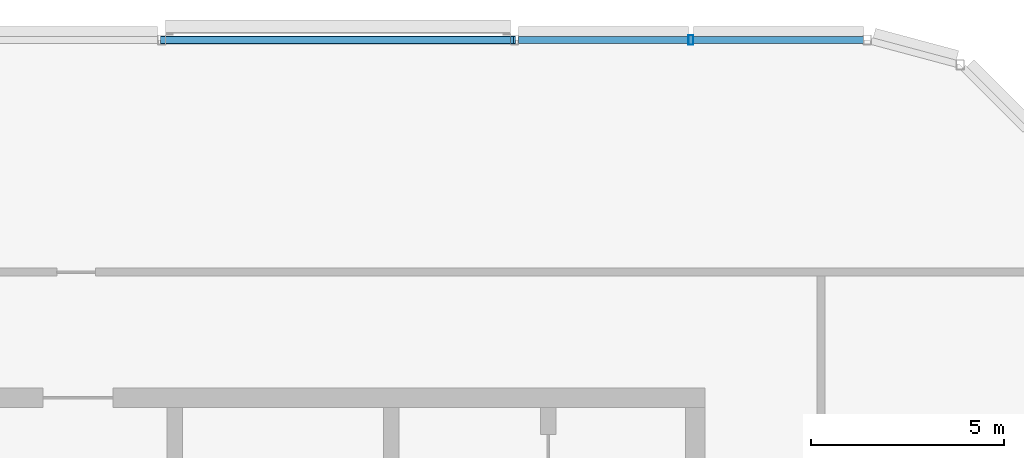
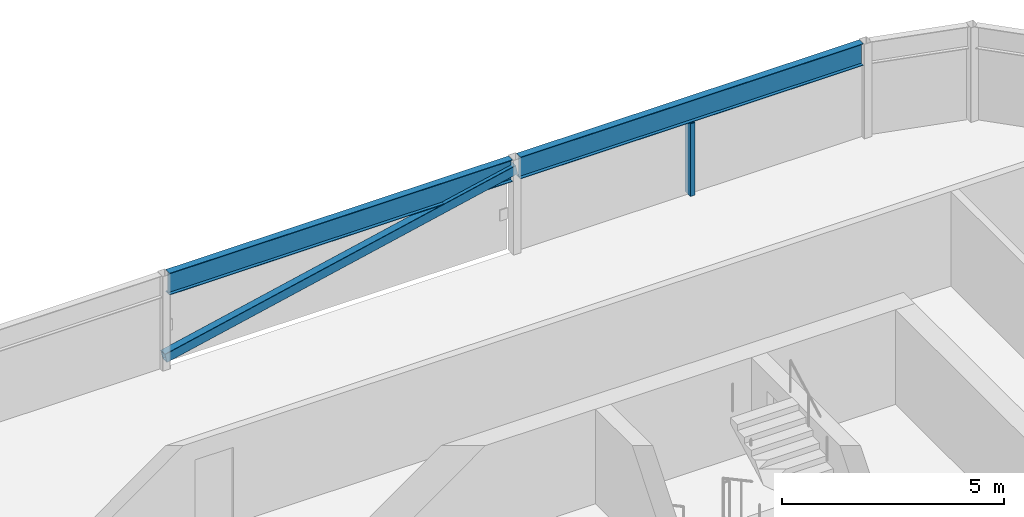
# One storey, part 13 of 27: 2 beams, 2 members.
"""IFC4 building model written with IfcOpenShell, lengths in metres."""

import ifcopenshell
import ifcopenshell.guid

model = None  # the IFC model being written
_history = None  # IfcOwnerHistory: only IFC2X3 demands one
_inside = {}  # id of a spatial element -> (the spatial element, [elements in it])
_under = {}  # id of a project, library or spatial element -> (it, [spatial elements below it])
_declared = {}  # id of a project -> (the project, [libraries it declares])
_typed = {}  # id of a type object -> (the type object, [elements of that type])
_made_of = {}  # id of a material, layer set ... -> (it, [elements and type objects made of it])


def new_model(schema):
    """Start an empty IFC model of exactly this schema.

    Asked for "IFC4X3", IfcOpenShell would pick the latest addendum, in which some entities
    have other attributes; the version numbers below select the first issue.
    IFC2X3 requires an IfcOwnerHistory on every rooted entity: one is made here for all.
    """
    global model, _history
    if schema == "IFC4X3":
        model = ifcopenshell.file(schema_version=(4, 3, 0, 0))
    else:
        model = ifcopenshell.file(schema=schema)
    _inside.clear()
    _under.clear()
    _declared.clear()
    _typed.clear()
    _made_of.clear()
    _history = None
    if model.schema == "IFC2X3":
        org = make("IfcOrganization", Name="unknown")
        user = make(
            "IfcPersonAndOrganization",
            ThePerson=make("IfcPerson", FamilyName="unknown"),
            TheOrganization=org,
        )
        app = make(
            "IfcApplication",
            ApplicationDeveloper=org,
            Version="unknown",
            ApplicationFullName="unknown",
            ApplicationIdentifier="unknown",
        )
        _history = make(
            "IfcOwnerHistory",
            OwningUser=user,
            OwningApplication=app,
            ChangeAction="ADDED",
            CreationDate=0,
        )
    return model


def make(cls, **values):
    """One entity of the class cls with the attributes given. An attribute that is None is left unset."""
    return model.create_entity(
        cls, **{name: value for name, value in values.items() if value is not None}
    )


def rooted(cls, **values):
    """An entity with a GlobalId (a new one), such as an element, a storey or a relation."""
    return make(cls, GlobalId=ifcopenshell.guid.new(), OwnerHistory=_history, **values)


def si_unit(unit_type, name, prefix=None):
    """IfcSIUnit, for example si_unit("LENGTHUNIT", "METRE", prefix="MILLI")."""
    return make("IfcSIUnit", UnitType=unit_type, Prefix=prefix, Name=name)


def assignment(units):
    """IfcUnitAssignment: the units of a project."""
    return None if units is None else make("IfcUnitAssignment", Units=units)


def point(xyz):
    """IfcCartesianPoint."""
    return None if xyz is None else make("IfcCartesianPoint", Coordinates=xyz)


def direction(xyz):
    """IfcDirection."""
    return None if xyz is None else make("IfcDirection", DirectionRatios=xyz)


def frame(location, z_axis=None, x_axis=None):
    """IfcAxis2Placement3D, a coordinate frame: its origin and axes. An axis left out is left unset."""
    return make(
        "IfcAxis2Placement3D",
        Location=point(location),
        Axis=direction(z_axis),
        RefDirection=direction(x_axis),
    )


def frame_2d(location, x_axis=None):
    """IfcAxis2Placement2D, a coordinate frame in the plane: its origin and x axis."""
    return make(
        "IfcAxis2Placement2D", Location=point(location), RefDirection=direction(x_axis)
    )


def origin():
    """The frame at (0, 0, 0) with its axes left unset."""
    return frame((0.0, 0.0, 0.0))


def origin_2d():
    """The frame at (0, 0) in the plane with its x axis left unset."""
    return frame_2d((0.0, 0.0))


def place(relative_to, where):
    """IfcLocalPlacement: puts the frame where relative to a parent placement (None: the world)."""
    return make(
        "IfcLocalPlacement", PlacementRelTo=relative_to, RelativePlacement=where
    )


def context(
    kind, dimensions, precision=None, world=None, true_north=None, identifier=None
):
    """IfcGeometricRepresentationContext, for example the 3D "Model" context."""
    return make(
        "IfcGeometricRepresentationContext",
        ContextIdentifier=identifier,
        ContextType=kind,
        CoordinateSpaceDimension=dimensions,
        Precision=precision,
        WorldCoordinateSystem=world,
        TrueNorth=true_north,
    )


def subcontext(parent, identifier, kind, view, scale=None):
    """IfcGeometricRepresentationSubContext, for example "Body" below "Model"."""
    return make(
        "IfcGeometricRepresentationSubContext",
        ContextIdentifier=identifier,
        ContextType=kind,
        ParentContext=parent,
        TargetScale=scale,
        TargetView=view,
    )


def project(units=None, contexts=None):
    """IfcProject with its units and contexts."""
    return rooted(
        "IfcProject",
        Name="project",
        RepresentationContexts=contexts,
        UnitsInContext=assignment(units),
    )


def spatial(cls, under=None, at=None, **own):
    """A site, building, storey or space (cls), placed at a placement, below another one or the project."""
    s = rooted(cls, ObjectPlacement=at, **own)
    if under is not None:
        _under.setdefault(under.id(), (under, []))[1].append(s)
    return s


def profile(cls, at=None, kind="AREA", **sizes):
    """A parametric profile (cls). Its sizes go by their IFC names, for example OverallWidth=200.0."""
    return make(cls, ProfileType=kind, Position=at, **sizes)


def hollow_rectangle(**sizes):
    """IfcRectangleHollowProfileDef."""
    return profile("IfcRectangleHollowProfileDef", **sizes)


def i_section(**sizes):
    """IfcIShapeProfileDef."""
    return profile("IfcIShapeProfileDef", **sizes)


def extrude(swept, where, along, depth):
    """IfcExtrudedAreaSolid: the profile swept, set in the frame where, extruded along a direction by depth."""
    return make(
        "IfcExtrudedAreaSolid",
        SweptArea=swept,
        Position=where,
        ExtrudedDirection=direction(along),
        Depth=depth,
    )


def shape(context_of_items, identifier, shape_type, items):
    """IfcShapeRepresentation: the items that make up one representation, for example the "Body"."""
    return make(
        "IfcShapeRepresentation",
        ContextOfItems=context_of_items,
        RepresentationIdentifier=identifier,
        RepresentationType=shape_type,
        Items=items,
    )


def material(Name=None, Category=None):
    """IfcMaterial."""
    return make("IfcMaterial", Name=Name, Category=Category)


def material_profile(
    of_material, cross_section, Name=None, Category=None, Priority=None
):
    """IfcMaterialProfile: a cross section and its material."""
    return make(
        "IfcMaterialProfile",
        Name=Name,
        Material=of_material,
        Profile=cross_section,
        Priority=Priority,
        Category=Category,
    )


def profile_set(profiles, Name=None, composite=None):
    """IfcMaterialProfileSet."""
    return make(
        "IfcMaterialProfileSet",
        Name=Name,
        MaterialProfiles=profiles,
        CompositeProfile=composite,
    )


def made_of(thing, what):
    """Note that an element or type object is made of a material, layer set ...; save() writes the relation."""
    if what is not None:
        _made_of.setdefault(what.id(), (what, []))[1].append(thing)
    return thing


def type_object(cls, material=None, **own):
    """A type object (cls), such as IfcWallType, which elements share."""
    return made_of(rooted(cls, **own), material)


def element(
    cls,
    number,
    at=None,
    inside=None,
    cuts=None,
    type_object=None,
    material=None,
    context=None,
    identifier="Body",
    shape_type=None,
    held_by="IfcProductDefinitionShape",
    body=None,
    shapes=None,
    **own,
):
    """One element of the class cls, such as IfcWall. Its Tag is "e" and its number.

    at: its placement. inside: the storey or other place that contains it. cuts: it is an
    opening in that element (IfcRelVoidsElement). A single representation is given by context,
    identifier, shape_type and body (its items); several are given by shapes. held_by: the class
    of the entity that holds the representations. save() writes the other relations.
    """
    e = rooted(cls, Tag="e%d" % number, ObjectPlacement=at, **own)
    if body is not None:
        shapes = [shape(context, identifier, shape_type, body)]
    if shapes is not None:
        e.Representation = make(held_by, Representations=shapes)
    if inside is not None:
        _inside.setdefault(inside.id(), (inside, []))[1].append(e)
    if cuts is not None:
        rooted(
            "IfcRelVoidsElement", RelatingBuildingElement=cuts, RelatedOpeningElement=e
        )
    if type_object is not None:
        _typed.setdefault(type_object.id(), (type_object, []))[1].append(e)
    return made_of(e, material)


def aggregate(whole, parts):
    """IfcRelAggregates: a whole, such as a stair, and the parts it consists of."""
    return rooted("IfcRelAggregates", RelatingObject=whole, RelatedObjects=parts)


def save(model, path):
    """Write the relations noted so far, then the file.

    IfcRelAggregates (storeys below a building ...), IfcRelContainedInSpatialStructure (elements
    in a storey), IfcRelDefinesByType, IfcRelAssociatesMaterial and IfcRelDeclares: one each for
    every whole, place, type object, material and project.
    """
    for whole, parts in _under.values():
        aggregate(whole, parts)
    for where, things in _inside.values():
        rooted(
            "IfcRelContainedInSpatialStructure",
            RelatedElements=things,
            RelatingStructure=where,
        )
    for kind, things in _typed.values():
        rooted("IfcRelDefinesByType", RelatedObjects=things, RelatingType=kind)
    for what, things in _made_of.values():
        rooted("IfcRelAssociatesMaterial", RelatedObjects=things, RelatingMaterial=what)
    for by, libraries in _declared.values():
        rooted("IfcRelDeclares", RelatingContext=by, RelatedDefinitions=libraries)
    model.write(path)


model = new_model("IFC4")

# Units and contexts
model_context = context("Model", 3, precision=1e-05, world=origin(), true_north=direction((0.0, 1.0)))
body_context = subcontext(model_context, "Body", "Model", "MODEL_VIEW")
ifc_project = project(units=[si_unit("LENGTHUNIT", "METRE"), si_unit("AREAUNIT", "SQUARE_METRE"), si_unit("VOLUMEUNIT", "CUBIC_METRE"), si_unit("PLANEANGLEUNIT", "RADIAN"), si_unit("MASSUNIT", "GRAM", prefix="KILO")], contexts=[model_context])

# Site, building, storey
site_placement = place(None, origin())
site = spatial("IfcSite", under=ifc_project, at=site_placement, CompositionType="ELEMENT")
building_placement = place(site_placement, origin())
building = spatial("IfcBuilding", under=site, at=building_placement, Name="Madar Terraces", CompositionType="ELEMENT")
storey_placement = place(building_placement, frame((0.0, 0.0, 314.300048828125)))
storey = spatial("IfcBuildingStorey", under=building, at=storey_placement, Name="L81", CompositionType="ELEMENT", Elevation=314.300048828125)

# Beams
ifc_material_1 = material(Name="Steel ASTM A992 Grade 50", Category="steel")
ifc_material_profile_1 = material_profile(ifc_material_1, i_section(OverallWidth=0.1787109375, OverallDepth=0.60205078125, WebThickness=0.010986328125, FlangeThickness=0.014892578125, at=origin_2d()), Name="W24x62")
ifc_profile_set_1 = profile_set([ifc_material_profile_1], Name="Steel ASTM A992 Grade 50")
beam_type = type_object("IfcBeamType", Name="CF2 W24x62", PredefinedType="BEAM", material=ifc_profile_set_1)
for number, where, z_axis, x_axis, name in (
    (1, (51.498291015625, 46.800048828125, 2.299072265625), (-1.0, 0.0, 0.0), (0.0, -1.0, 0.0), "Crown frame ring beam CF2"),
    (2, (42.37841796875, 46.800048828125, 2.299072265625), (-1.0, 0.0, 0.0), (0.0, -1.0, 0.0), "Crown frame ring beam CF2"),
):
    element("IfcBeam", number, at=place(storey_placement, frame(where, z_axis=z_axis, x_axis=x_axis)), inside=storey, type_object=beam_type, Name=name, PredefinedType="BEAM", context=body_context, shape_type="SweptSolid", body=[
        extrude(i_section(OverallWidth=0.1787109375, OverallDepth=0.60205078125, WebThickness=0.010986328125, FlangeThickness=0.014892578125, at=origin_2d()), origin(), (0.0, 0.0, 1.0), 8.916748046875),
    ])

# Members
ifc_material_2 = material(Name="Steel ASTM A500 Grade C", Category="steel")
ifc_material_profile_2 = material_profile(ifc_material_2, hollow_rectangle(XDim=0.203125, YDim=0.25390625, WallThickness=0.009521484375, InnerFilletRadius=0.00439453125, OuterFilletRadius=0.01318359375, at=origin_2d()), Name="HSS10x8x.375")
ifc_profile_set_2 = profile_set([ifc_material_profile_2], Name="Steel ASTM A500 Grade C")
member_type_1 = type_object("IfcMemberType", Name="CF5 crown frame brace HSS10x8x.375", PredefinedType="BRACE", material=ifc_profile_set_2)
member_1_placement = place(storey_placement, frame((42.47998046875, 46.800048828125, 2.299072265625), z_axis=(-0.976809345127, 0.0, -0.21411096019), x_axis=(0.0, -1.0, 0.0)))
element("IfcMember", 3, at=member_1_placement, inside=storey, type_object=member_type_1, Name="Crown frame brace CF5", PredefinedType="BRACE", context=body_context, shape_type="SweptSolid", body=[
    extrude(hollow_rectangle(XDim=0.203125, YDim=0.25390625, WallThickness=0.009521484375, InnerFilletRadius=0.00439453125, OuterFilletRadius=0.01318359375, at=origin_2d()), origin(), (0.0, 0.0, 1.0), 9.33642578125),
])
ifc_material_3 = material(Name="Steel ASTM A500 Grade C", Category="steel")
ifc_material_profile_3 = material_profile(ifc_material_3, hollow_rectangle(XDim=0.126953125, YDim=0.25390625, WallThickness=0.00634765625, InnerFilletRadius=0.0029296875, OuterFilletRadius=0.0087890625, at=origin_2d()), Name="HSS10x5x.25")
ifc_profile_set_3 = profile_set([ifc_material_profile_3], Name="Steel ASTM A500 Grade C")
member_type_2 = type_object("IfcMemberType", Name="LS2 HSS10x5x.25", PredefinedType="POST", material=ifc_profile_set_3)
member_2_placement = place(storey_placement, frame((47.0400390625, 46.800048828125, 0.0), z_axis=(0.0, 0.0, 1.0), x_axis=(-1.0, 0.0, 0.0)))
element("IfcMember", 4, at=member_2_placement, inside=storey, type_object=member_type_2, Name="Crown louvre post LS2", PredefinedType="POST", context=body_context, shape_type="SweptSolid", body=[
    extrude(hollow_rectangle(XDim=0.126953125, YDim=0.25390625, WallThickness=0.00634765625, InnerFilletRadius=0.0029296875, OuterFilletRadius=0.0087890625, at=origin_2d()), origin(), (0.0, 0.0, 1.0), 1.998046875),
])

save(model, "model.ifc")
